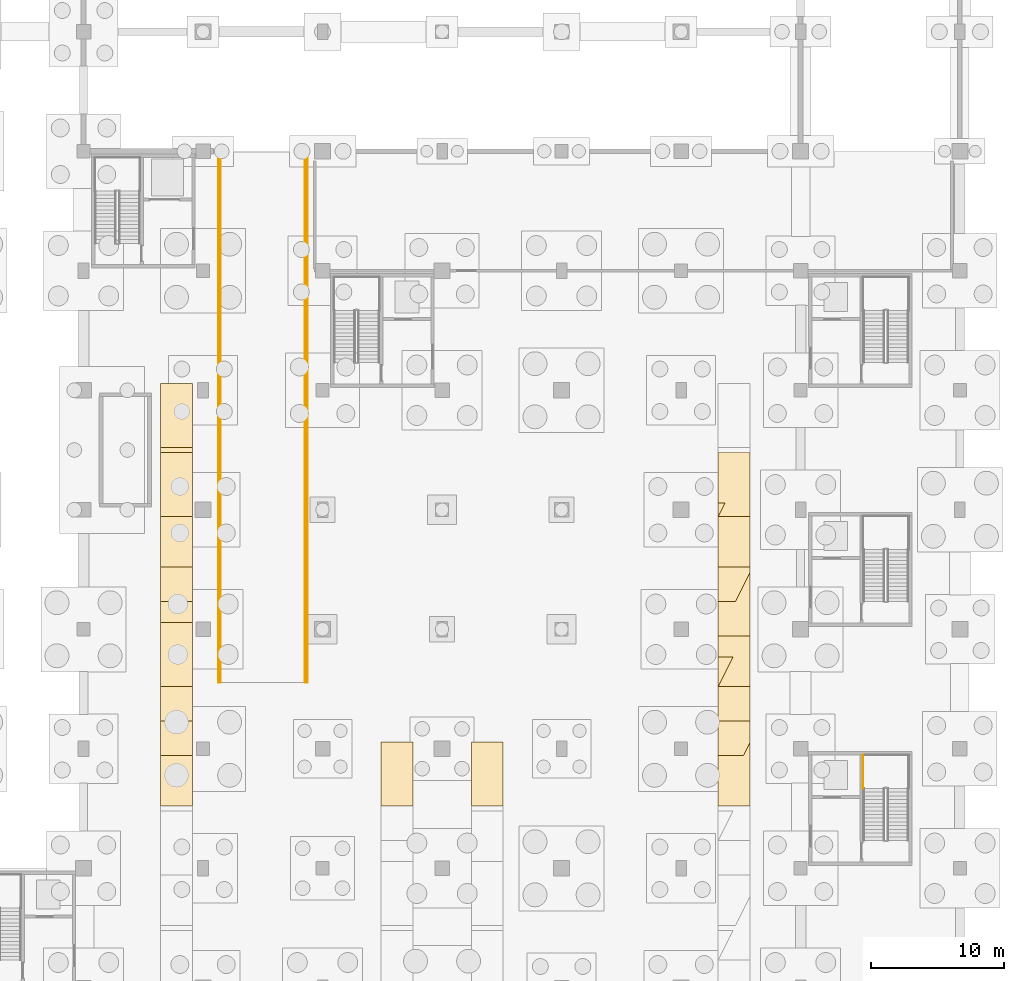
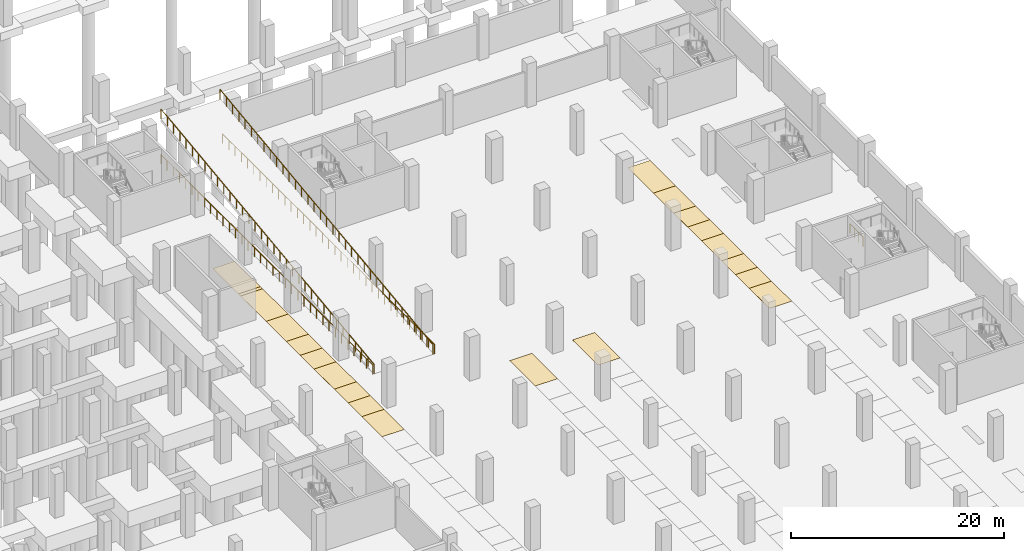
# One storey, part 31 of 37: 20 coverings, 5 railings.
"""IFC4 building model written with IfcOpenShell, lengths in metres."""

from ifc_helpers import new_model, si_unit, direction, frame, origin, origin_2d, place, context, subcontext, project, spatial, polyline, circle, outline, extrude, material, layer, layer_set, type_object, element, save


model = new_model("IFC4")

# Units and contexts
model_context = context("Model", 3, precision=1e-05, world=origin(), true_north=direction((0.0, 1.0)))
body_context = subcontext(model_context, "Body", "Model", "MODEL_VIEW")
ifc_project = project(units=[si_unit("LENGTHUNIT", "METRE"), si_unit("AREAUNIT", "SQUARE_METRE"), si_unit("VOLUMEUNIT", "CUBIC_METRE"), si_unit("PLANEANGLEUNIT", "RADIAN"), si_unit("MASSUNIT", "GRAM", prefix="KILO")], contexts=[model_context])

# Site, building, storey
site_placement = place(None, origin())
site = spatial("IfcSite", under=ifc_project, at=site_placement, CompositionType="ELEMENT")
building_placement = place(site_placement, origin())
building = spatial("IfcBuilding", under=site, at=building_placement, Name="Barlavento Convention Centre", CompositionType="ELEMENT")
storey_placement = place(building_placement, frame((0.0, 0.0, -5.0)))
storey = spatial("IfcBuildingStorey", under=building, at=storey_placement, Name="B1", CompositionType="ELEMENT", Elevation=-5.0)

# Coverings
ifc_material_1 = material(Name="Thermoplastic reflective bay marking")
ifc_layer = layer(ifc_material_1, 0.0048828125)
ifc_layer_set = layer_set([ifc_layer], Name="ARC-COV-PARK-BAY")
covering_type = type_object("IfcCoveringType", Name="ARC-COV-PARK-BAY", PredefinedType="FLOORING", material=ifc_layer_set)
covering_1_placement = place(storey_placement, origin())
element("IfcCovering", 1, at=covering_1_placement, inside=storey, type_object=covering_type, Name="Standard parking bay marking PK-035", PredefinedType="FLOORING", context=body_context, shape_type="SweptSolid", body=[
    extrude(outline(polyline([(131.800048828125, 58.699951171875), (134.199951171875, 58.699951171875), (134.199951171875, 63.5), (131.800048828125, 63.5), (131.800048828125, 58.699951171875)])), origin(), (0.0, 0.0, 1.0), 0.0048828125),
])
covering_2_placement = place(storey_placement, origin())
element("IfcCovering", 2, at=covering_2_placement, inside=storey, type_object=covering_type, Name="Standard parking bay marking PK-036", PredefinedType="FLOORING", context=body_context, shape_type="SweptSolid", body=[
    extrude(outline(polyline([(173.800048828125, 58.699951171875), (176.199951171875, 58.699951171875), (176.199951171875, 63.5), (173.800048828125, 63.5), (173.800048828125, 58.699951171875)])), origin(), (0.0, 0.0, 1.0), 0.0048828125),
])
covering_3_placement = place(storey_placement, origin())
element("IfcCovering", 3, at=covering_3_placement, inside=storey, type_object=covering_type, Name="Standard parking bay marking PK-037", PredefinedType="FLOORING", context=body_context, shape_type="SweptSolid", body=[
    extrude(outline(polyline([(131.800048828125, 62.5), (134.199951171875, 62.5), (134.199951171875, 67.300048828125), (131.800048828125, 67.300048828125), (131.800048828125, 62.5)])), origin(), (0.0, 0.0, 1.0), 0.0048828125),
])
covering_4_placement = place(storey_placement, origin())
element("IfcCovering", 4, at=covering_4_placement, inside=storey, type_object=covering_type, Name="Standard parking bay marking PK-038", PredefinedType="FLOORING", context=body_context, shape_type="SweptSolid", body=[
    extrude(outline(polyline([(173.800048828125, 62.5), (176.199951171875, 62.5), (176.199951171875, 67.300048828125), (173.800048828125, 67.300048828125), (173.800048828125, 62.5)])), origin(), (0.0, 0.0, 1.0), 0.0048828125),
])
covering_5_placement = place(storey_placement, origin())
element("IfcCovering", 5, at=covering_5_placement, inside=storey, type_object=covering_type, Name="Standard parking bay marking PK-039", PredefinedType="FLOORING", context=body_context, shape_type="SweptSolid", body=[
    extrude(outline(polyline([(131.800048828125, 65.10009765625), (134.199951171875, 65.10009765625), (134.199951171875, 69.89990234375), (131.800048828125, 69.89990234375), (131.800048828125, 65.10009765625)])), origin(), (0.0, 0.0, 1.0), 0.0048828125),
])
covering_6_placement = place(storey_placement, origin())
element("IfcCovering", 6, at=covering_6_placement, inside=storey, type_object=covering_type, Name="Standard parking bay marking PK-040", PredefinedType="FLOORING", context=body_context, shape_type="SweptSolid", body=[
    extrude(outline(polyline([(173.800048828125, 65.10009765625), (176.199951171875, 65.10009765625), (176.199951171875, 69.89990234375), (173.800048828125, 69.89990234375), (173.800048828125, 65.10009765625)])), origin(), (0.0, 0.0, 1.0), 0.0048828125),
])
covering_7_placement = place(storey_placement, origin())
element("IfcCovering", 7, at=covering_7_placement, inside=storey, type_object=covering_type, Name="Standard parking bay marking PK-041", PredefinedType="FLOORING", context=body_context, shape_type="SweptSolid", body=[
    extrude(outline(polyline([(131.800048828125, 67.699951171875), (134.199951171875, 67.699951171875), (134.199951171875, 72.5), (131.800048828125, 72.5), (131.800048828125, 67.699951171875)])), origin(), (0.0, 0.0, 1.0), 0.0048828125),
])
covering_8_placement = place(storey_placement, origin())
element("IfcCovering", 8, at=covering_8_placement, inside=storey, type_object=covering_type, Name="Standard parking bay marking PK-042", PredefinedType="FLOORING", context=body_context, shape_type="SweptSolid", body=[
    extrude(outline(polyline([(173.800048828125, 67.699951171875), (176.199951171875, 67.699951171875), (176.199951171875, 72.5), (173.800048828125, 72.5), (173.800048828125, 67.699951171875)])), origin(), (0.0, 0.0, 1.0), 0.0048828125),
])
covering_9_placement = place(storey_placement, origin())
element("IfcCovering", 9, at=covering_9_placement, inside=storey, type_object=covering_type, Name="Standard parking bay marking PK-043", PredefinedType="FLOORING", context=body_context, shape_type="SweptSolid", body=[
    extrude(outline(polyline([(131.800048828125, 71.5), (134.199951171875, 71.5), (134.199951171875, 76.300048828125), (131.800048828125, 76.300048828125), (131.800048828125, 71.5)])), origin(), (0.0, 0.0, 1.0), 0.0048828125),
])
covering_10_placement = place(storey_placement, origin())
element("IfcCovering", 10, at=covering_10_placement, inside=storey, type_object=covering_type, Name="Standard parking bay marking PK-044", PredefinedType="FLOORING", context=body_context, shape_type="SweptSolid", body=[
    extrude(outline(polyline([(173.800048828125, 71.5), (176.199951171875, 71.5), (176.199951171875, 76.300048828125), (173.800048828125, 76.300048828125), (173.800048828125, 71.5)])), origin(), (0.0, 0.0, 1.0), 0.0048828125),
])
covering_11_placement = place(storey_placement, origin())
element("IfcCovering", 11, at=covering_11_placement, inside=storey, type_object=covering_type, Name="Standard parking bay marking PK-045", PredefinedType="FLOORING", context=body_context, shape_type="SweptSolid", body=[
    extrude(outline(polyline([(131.800048828125, 74.10009765625), (134.199951171875, 74.10009765625), (134.199951171875, 78.89990234375), (131.800048828125, 78.89990234375), (131.800048828125, 74.10009765625)])), origin(), (0.0, 0.0, 1.0), 0.0048828125),
])
covering_12_placement = place(storey_placement, origin())
element("IfcCovering", 12, at=covering_12_placement, inside=storey, type_object=covering_type, Name="Standard parking bay marking PK-046", PredefinedType="FLOORING", context=body_context, shape_type="SweptSolid", body=[
    extrude(outline(polyline([(173.800048828125, 74.10009765625), (176.199951171875, 74.10009765625), (176.199951171875, 78.89990234375), (173.800048828125, 78.89990234375), (173.800048828125, 74.10009765625)])), origin(), (0.0, 0.0, 1.0), 0.0048828125),
])
covering_13_placement = place(storey_placement, origin())
element("IfcCovering", 13, at=covering_13_placement, inside=storey, type_object=covering_type, Name="Standard parking bay marking PK-047", PredefinedType="FLOORING", context=body_context, shape_type="SweptSolid", body=[
    extrude(outline(polyline([(131.800048828125, 76.699951171875), (134.199951171875, 76.699951171875), (134.199951171875, 81.5), (131.800048828125, 81.5), (131.800048828125, 76.699951171875)])), origin(), (0.0, 0.0, 1.0), 0.0048828125),
])
covering_14_placement = place(storey_placement, origin())
element("IfcCovering", 14, at=covering_14_placement, inside=storey, type_object=covering_type, Name="Standard parking bay marking PK-048", PredefinedType="FLOORING", context=body_context, shape_type="SweptSolid", body=[
    extrude(outline(polyline([(173.800048828125, 76.699951171875), (176.199951171875, 76.699951171875), (176.199951171875, 81.5), (173.800048828125, 81.5), (173.800048828125, 76.699951171875)])), origin(), (0.0, 0.0, 1.0), 0.0048828125),
])
covering_15_placement = place(storey_placement, origin())
element("IfcCovering", 15, at=covering_15_placement, inside=storey, type_object=covering_type, Name="Standard parking bay marking PK-049", PredefinedType="FLOORING", context=body_context, shape_type="SweptSolid", body=[
    extrude(outline(polyline([(131.800048828125, 80.5), (134.199951171875, 80.5), (134.199951171875, 85.300048828125), (131.800048828125, 85.300048828125), (131.800048828125, 80.5)])), origin(), (0.0, 0.0, 1.0), 0.0048828125),
])
covering_16_placement = place(storey_placement, origin())
element("IfcCovering", 16, at=covering_16_placement, inside=storey, type_object=covering_type, Name="Standard parking bay marking PK-050", PredefinedType="FLOORING", context=body_context, shape_type="SweptSolid", body=[
    extrude(outline(polyline([(173.800048828125, 80.5), (176.199951171875, 80.5), (176.199951171875, 85.300048828125), (173.800048828125, 85.300048828125), (173.800048828125, 80.5)])), origin(), (0.0, 0.0, 1.0), 0.0048828125),
])
covering_17_placement = place(storey_placement, origin())
element("IfcCovering", 17, at=covering_17_placement, inside=storey, type_object=covering_type, Name="Standard parking bay marking PK-051", PredefinedType="FLOORING", context=body_context, shape_type="SweptSolid", body=[
    extrude(outline(polyline([(131.800048828125, 83.10009765625), (134.199951171875, 83.10009765625), (134.199951171875, 87.89990234375), (131.800048828125, 87.89990234375), (131.800048828125, 83.10009765625)])), origin(), (0.0, 0.0, 1.0), 0.0048828125),
])
covering_18_placement = place(storey_placement, origin())
element("IfcCovering", 18, at=covering_18_placement, inside=storey, type_object=covering_type, Name="Standard parking bay marking PK-053", PredefinedType="FLOORING", context=body_context, shape_type="SweptSolid", body=[
    extrude(outline(polyline([(131.800048828125, 85.699951171875), (134.199951171875, 85.699951171875), (134.199951171875, 90.5), (131.800048828125, 90.5), (131.800048828125, 85.699951171875)])), origin(), (0.0, 0.0, 1.0), 0.0048828125),
])
covering_19_placement = place(storey_placement, origin())
element("IfcCovering", 19, at=covering_19_placement, inside=storey, type_object=covering_type, Name="Standard parking bay marking PK-083", PredefinedType="FLOORING", context=body_context, shape_type="SweptSolid", body=[
    extrude(outline(polyline([(148.39990234375, 58.699951171875), (150.800048828125, 58.699951171875), (150.800048828125, 63.5), (148.39990234375, 63.5), (148.39990234375, 58.699951171875)])), origin(), (0.0, 0.0, 1.0), 0.0048828125),
])
covering_20_placement = place(storey_placement, origin())
element("IfcCovering", 20, at=covering_20_placement, inside=storey, type_object=covering_type, Name="Standard parking bay marking PK-084", PredefinedType="FLOORING", context=body_context, shape_type="SweptSolid", body=[
    extrude(outline(polyline([(155.199951171875, 58.699951171875), (157.60009765625, 58.699951171875), (157.60009765625, 63.5), (155.199951171875, 63.5), (155.199951171875, 58.699951171875)])), origin(), (0.0, 0.0, 1.0), 0.0048828125),
])

# Railings
ifc_material_2 = material(Name="Stainless steel and laminated glass balustrade", Category="steel")
railing_type_1 = type_object("IfcRailingType", Name="ARC-RAL-BAL-1100", PredefinedType="BALUSTRADE", material=ifc_material_2)
railing_1_placement = place(storey_placement, frame((184.7099609375, 60.010009765625, 2.5)))
element("IfcRailing", 21, at=railing_1_placement, inside=storey, type_object=railing_type_1, Name="B1 landing guard GR01", PredefinedType="BALUSTRADE", context=body_context, shape_type="SweptSolid", body=[
    extrude(circle(Radius=0.02392578125, at=origin_2d()), frame((0.0, 0.0, 1.076171875), z_axis=(0.0, 1.0, 0.0), x_axis=(-1.0, 0.0, 0.0)), (0.0, 0.0, 1.0), 2.52001953125),
    extrude(circle(Radius=0.02099609375, at=origin_2d()), origin(), (0.0, 0.0, 1.0), 1.052001953125),
    extrude(circle(Radius=0.02099609375, at=origin_2d()), frame((0.0, 0.840087890625, 0.0)), (0.0, 0.0, 1.0), 1.052001953125),
    extrude(circle(Radius=0.02099609375, at=origin_2d()), frame((0.0, 1.679931640625, 0.0)), (0.0, 0.0, 1.0), 1.052001953125),
    extrude(circle(Radius=0.02099609375, at=origin_2d()), frame((0.0, 2.52001953125, 0.0)), (0.0, 0.0, 1.0), 1.052001953125),
])
railing_2_placement = place(storey_placement, frame((136.14990234375, 68.0, 0.0)))
element("IfcRailing", 22, at=railing_2_placement, inside=storey, type_object=railing_type_1, Name="B1 interior atrium or gallery balustrade GR01", PredefinedType="BALUSTRADE", context=body_context, shape_type="SweptSolid", body=[
    extrude(circle(Radius=0.02392578125, at=origin_2d()), frame((0.0, 0.0, 1.076171875), z_axis=(0.0, 1.0, 0.0), x_axis=(-1.0, 0.0, 0.0)), (0.0, 0.0, 1.0), 39.800048828125),
    extrude(circle(Radius=0.02099609375, at=origin_2d()), origin(), (0.0, 0.0, 1.0), 1.052001953125),
    extrude(circle(Radius=0.02099609375, at=origin_2d()), frame((0.0, 1.170654296875, 0.0)), (0.0, 0.0, 1.0), 1.052001953125),
    extrude(circle(Radius=0.02099609375, at=origin_2d()), frame((0.0, 2.341064453125, 0.0)), (0.0, 0.0, 1.0), 1.052001953125),
    extrude(circle(Radius=0.02099609375, at=origin_2d()), frame((0.0, 3.51171875, 0.0)), (0.0, 0.0, 1.0), 1.052001953125),
    extrude(circle(Radius=0.02099609375, at=origin_2d()), frame((0.0, 4.682373046875, 0.0)), (0.0, 0.0, 1.0), 1.052001953125),
    extrude(circle(Radius=0.02099609375, at=origin_2d()), frame((0.0, 5.85302734375, 0.0)), (0.0, 0.0, 1.0), 1.052001953125),
    extrude(circle(Radius=0.02099609375, at=origin_2d()), frame((0.0, 7.0234375, 0.0)), (0.0, 0.0, 1.0), 1.052001953125),
    extrude(circle(Radius=0.02099609375, at=origin_2d()), frame((0.0, 8.194091796875, 0.0)), (0.0, 0.0, 1.0), 1.052001953125),
    extrude(circle(Radius=0.02099609375, at=origin_2d()), frame((0.0, 9.36474609375, 0.0)), (0.0, 0.0, 1.0), 1.052001953125),
    extrude(circle(Radius=0.02099609375, at=origin_2d()), frame((0.0, 10.535400390625, 0.0)), (0.0, 0.0, 1.0), 1.052001953125),
    extrude(circle(Radius=0.02099609375, at=origin_2d()), frame((0.0, 11.705810546875, 0.0)), (0.0, 0.0, 1.0), 1.052001953125),
    extrude(circle(Radius=0.02099609375, at=origin_2d()), frame((0.0, 12.87646484375, 0.0)), (0.0, 0.0, 1.0), 1.052001953125),
    extrude(circle(Radius=0.02099609375, at=origin_2d()), frame((0.0, 14.047119140625, 0.0)), (0.0, 0.0, 1.0), 1.052001953125),
    extrude(circle(Radius=0.02099609375, at=origin_2d()), frame((0.0, 15.2177734375, 0.0)), (0.0, 0.0, 1.0), 1.052001953125),
    extrude(circle(Radius=0.02099609375, at=origin_2d()), frame((0.0, 16.38818359375, 0.0)), (0.0, 0.0, 1.0), 1.052001953125),
    extrude(circle(Radius=0.02099609375, at=origin_2d()), frame((0.0, 17.558837890625, 0.0)), (0.0, 0.0, 1.0), 1.052001953125),
    extrude(circle(Radius=0.02099609375, at=origin_2d()), frame((0.0, 18.7294921875, 0.0)), (0.0, 0.0, 1.0), 1.052001953125),
    extrude(circle(Radius=0.02099609375, at=origin_2d()), frame((0.0, 19.89990234375, 0.0)), (0.0, 0.0, 1.0), 1.052001953125),
    extrude(circle(Radius=0.02099609375, at=origin_2d()), frame((0.0, 21.070556640625, 0.0)), (0.0, 0.0, 1.0), 1.052001953125),
    extrude(circle(Radius=0.02099609375, at=origin_2d()), frame((0.0, 22.2412109375, 0.0)), (0.0, 0.0, 1.0), 1.052001953125),
    extrude(circle(Radius=0.02099609375, at=origin_2d()), frame((0.0, 23.411865234375, 0.0)), (0.0, 0.0, 1.0), 1.052001953125),
    extrude(circle(Radius=0.02099609375, at=origin_2d()), frame((0.0, 24.582275390625, 0.0)), (0.0, 0.0, 1.0), 1.052001953125),
    extrude(circle(Radius=0.02099609375, at=origin_2d()), frame((0.0, 25.7529296875, 0.0)), (0.0, 0.0, 1.0), 1.052001953125),
    extrude(circle(Radius=0.02099609375, at=origin_2d()), frame((0.0, 26.923583984375, 0.0)), (0.0, 0.0, 1.0), 1.052001953125),
    extrude(circle(Radius=0.02099609375, at=origin_2d()), frame((0.0, 28.09423828125, 0.0)), (0.0, 0.0, 1.0), 1.052001953125),
    extrude(circle(Radius=0.02099609375, at=origin_2d()), frame((0.0, 29.2646484375, 0.0)), (0.0, 0.0, 1.0), 1.052001953125),
    extrude(circle(Radius=0.02099609375, at=origin_2d()), frame((0.0, 30.435302734375, 0.0)), (0.0, 0.0, 1.0), 1.052001953125),
    extrude(circle(Radius=0.02099609375, at=origin_2d()), frame((0.0, 31.60595703125, 0.0)), (0.0, 0.0, 1.0), 1.052001953125),
    extrude(circle(Radius=0.02099609375, at=origin_2d()), frame((0.0, 32.776611328125, 0.0)), (0.0, 0.0, 1.0), 1.052001953125),
    extrude(circle(Radius=0.02099609375, at=origin_2d()), frame((0.0, 33.947021484375, 0.0)), (0.0, 0.0, 1.0), 1.052001953125),
    extrude(circle(Radius=0.02099609375, at=origin_2d()), frame((0.0, 35.11767578125, 0.0)), (0.0, 0.0, 1.0), 1.052001953125),
    extrude(circle(Radius=0.02099609375, at=origin_2d()), frame((0.0, 36.288330078125, 0.0)), (0.0, 0.0, 1.0), 1.052001953125),
    extrude(circle(Radius=0.02099609375, at=origin_2d()), frame((0.0, 37.458984375, 0.0)), (0.0, 0.0, 1.0), 1.052001953125),
    extrude(circle(Radius=0.02099609375, at=origin_2d()), frame((0.0, 38.62939453125, 0.0)), (0.0, 0.0, 1.0), 1.052001953125),
    extrude(circle(Radius=0.02099609375, at=origin_2d()), frame((0.0, 39.800048828125, 0.0)), (0.0, 0.0, 1.0), 1.052001953125),
])
railing_3_placement = place(storey_placement, frame((142.85009765625, 68.0, 0.0)))
element("IfcRailing", 23, at=railing_3_placement, inside=storey, type_object=railing_type_1, Name="B1 interior atrium or gallery balustrade GR01", PredefinedType="BALUSTRADE", context=body_context, shape_type="SweptSolid", body=[
    extrude(circle(Radius=0.02392578125, at=origin_2d()), frame((0.0, 0.0, 1.076171875), z_axis=(0.0, 1.0, 0.0), x_axis=(-1.0, 0.0, 0.0)), (0.0, 0.0, 1.0), 39.800048828125),
    extrude(circle(Radius=0.02099609375, at=origin_2d()), origin(), (0.0, 0.0, 1.0), 1.052001953125),
    extrude(circle(Radius=0.02099609375, at=origin_2d()), frame((0.0, 1.170654296875, 0.0)), (0.0, 0.0, 1.0), 1.052001953125),
    extrude(circle(Radius=0.02099609375, at=origin_2d()), frame((0.0, 2.341064453125, 0.0)), (0.0, 0.0, 1.0), 1.052001953125),
    extrude(circle(Radius=0.02099609375, at=origin_2d()), frame((0.0, 3.51171875, 0.0)), (0.0, 0.0, 1.0), 1.052001953125),
    extrude(circle(Radius=0.02099609375, at=origin_2d()), frame((0.0, 4.682373046875, 0.0)), (0.0, 0.0, 1.0), 1.052001953125),
    extrude(circle(Radius=0.02099609375, at=origin_2d()), frame((0.0, 5.85302734375, 0.0)), (0.0, 0.0, 1.0), 1.052001953125),
    extrude(circle(Radius=0.02099609375, at=origin_2d()), frame((0.0, 7.0234375, 0.0)), (0.0, 0.0, 1.0), 1.052001953125),
    extrude(circle(Radius=0.02099609375, at=origin_2d()), frame((0.0, 8.194091796875, 0.0)), (0.0, 0.0, 1.0), 1.052001953125),
    extrude(circle(Radius=0.02099609375, at=origin_2d()), frame((0.0, 9.36474609375, 0.0)), (0.0, 0.0, 1.0), 1.052001953125),
    extrude(circle(Radius=0.02099609375, at=origin_2d()), frame((0.0, 10.535400390625, 0.0)), (0.0, 0.0, 1.0), 1.052001953125),
    extrude(circle(Radius=0.02099609375, at=origin_2d()), frame((0.0, 11.705810546875, 0.0)), (0.0, 0.0, 1.0), 1.052001953125),
    extrude(circle(Radius=0.02099609375, at=origin_2d()), frame((0.0, 12.87646484375, 0.0)), (0.0, 0.0, 1.0), 1.052001953125),
    extrude(circle(Radius=0.02099609375, at=origin_2d()), frame((0.0, 14.047119140625, 0.0)), (0.0, 0.0, 1.0), 1.052001953125),
    extrude(circle(Radius=0.02099609375, at=origin_2d()), frame((0.0, 15.2177734375, 0.0)), (0.0, 0.0, 1.0), 1.052001953125),
    extrude(circle(Radius=0.02099609375, at=origin_2d()), frame((0.0, 16.38818359375, 0.0)), (0.0, 0.0, 1.0), 1.052001953125),
    extrude(circle(Radius=0.02099609375, at=origin_2d()), frame((0.0, 17.558837890625, 0.0)), (0.0, 0.0, 1.0), 1.052001953125),
    extrude(circle(Radius=0.02099609375, at=origin_2d()), frame((0.0, 18.7294921875, 0.0)), (0.0, 0.0, 1.0), 1.052001953125),
    extrude(circle(Radius=0.02099609375, at=origin_2d()), frame((0.0, 19.89990234375, 0.0)), (0.0, 0.0, 1.0), 1.052001953125),
    extrude(circle(Radius=0.02099609375, at=origin_2d()), frame((0.0, 21.070556640625, 0.0)), (0.0, 0.0, 1.0), 1.052001953125),
    extrude(circle(Radius=0.02099609375, at=origin_2d()), frame((0.0, 22.2412109375, 0.0)), (0.0, 0.0, 1.0), 1.052001953125),
    extrude(circle(Radius=0.02099609375, at=origin_2d()), frame((0.0, 23.411865234375, 0.0)), (0.0, 0.0, 1.0), 1.052001953125),
    extrude(circle(Radius=0.02099609375, at=origin_2d()), frame((0.0, 24.582275390625, 0.0)), (0.0, 0.0, 1.0), 1.052001953125),
    extrude(circle(Radius=0.02099609375, at=origin_2d()), frame((0.0, 25.7529296875, 0.0)), (0.0, 0.0, 1.0), 1.052001953125),
    extrude(circle(Radius=0.02099609375, at=origin_2d()), frame((0.0, 26.923583984375, 0.0)), (0.0, 0.0, 1.0), 1.052001953125),
    extrude(circle(Radius=0.02099609375, at=origin_2d()), frame((0.0, 28.09423828125, 0.0)), (0.0, 0.0, 1.0), 1.052001953125),
    extrude(circle(Radius=0.02099609375, at=origin_2d()), frame((0.0, 29.2646484375, 0.0)), (0.0, 0.0, 1.0), 1.052001953125),
    extrude(circle(Radius=0.02099609375, at=origin_2d()), frame((0.0, 30.435302734375, 0.0)), (0.0, 0.0, 1.0), 1.052001953125),
    extrude(circle(Radius=0.02099609375, at=origin_2d()), frame((0.0, 31.60595703125, 0.0)), (0.0, 0.0, 1.0), 1.052001953125),
    extrude(circle(Radius=0.02099609375, at=origin_2d()), frame((0.0, 32.776611328125, 0.0)), (0.0, 0.0, 1.0), 1.052001953125),
    extrude(circle(Radius=0.02099609375, at=origin_2d()), frame((0.0, 33.947021484375, 0.0)), (0.0, 0.0, 1.0), 1.052001953125),
    extrude(circle(Radius=0.02099609375, at=origin_2d()), frame((0.0, 35.11767578125, 0.0)), (0.0, 0.0, 1.0), 1.052001953125),
    extrude(circle(Radius=0.02099609375, at=origin_2d()), frame((0.0, 36.288330078125, 0.0)), (0.0, 0.0, 1.0), 1.052001953125),
    extrude(circle(Radius=0.02099609375, at=origin_2d()), frame((0.0, 37.458984375, 0.0)), (0.0, 0.0, 1.0), 1.052001953125),
    extrude(circle(Radius=0.02099609375, at=origin_2d()), frame((0.0, 38.62939453125, 0.0)), (0.0, 0.0, 1.0), 1.052001953125),
    extrude(circle(Radius=0.02099609375, at=origin_2d()), frame((0.0, 39.800048828125, 0.0)), (0.0, 0.0, 1.0), 1.052001953125),
])
ifc_material_3 = material(Name="Painted galvanized steel perimeter guardrail", Category="steel")
railing_type_2 = type_object("IfcRailingType", Name="ARC-RAL-PAR-1100", PredefinedType="GUARDRAIL", material=ifc_material_3)
railing_4_placement = place(storey_placement, frame((136.300048828125, 68.0, 0.0)))
element("IfcRailing", 24, at=railing_4_placement, inside=storey, type_object=railing_type_2, Name="Vehicle ramp west guardrail GR02", PredefinedType="GUARDRAIL", context=body_context, shape_type="SweptSolid", body=[
    extrude(circle(Radius=0.02392578125, at=origin_2d()), frame((0.0, 0.0, 1.076171875), z_axis=(0.0, 0.992277876714, 0.124034734589), x_axis=(-1.0, 0.0, 0.0)), (0.0, 0.0, 1.0), 40.311279296875),
    extrude(circle(Radius=0.02099609375, at=origin_2d()), origin(), (0.0, 0.0, 1.0), 1.052001953125),
    extrude(circle(Radius=0.02099609375, at=origin_2d()), frame((0.0, 1.176513671875, 0.14697265625)), (0.0, 0.0, 1.0), 1.052001953125),
    extrude(circle(Radius=0.02099609375, at=origin_2d()), frame((0.0, 2.35302734375, 0.294189453125)), (0.0, 0.0, 1.0), 1.052001953125),
    extrude(circle(Radius=0.02099609375, at=origin_2d()), frame((0.0, 3.529296875, 0.441162109375)), (0.0, 0.0, 1.0), 1.052001953125),
    extrude(circle(Radius=0.02099609375, at=origin_2d()), frame((0.0, 4.705810546875, 0.588134765625)), (0.0, 0.0, 1.0), 1.052001953125),
    extrude(circle(Radius=0.02099609375, at=origin_2d()), frame((0.0, 5.88232421875, 0.7353515625)), (0.0, 0.0, 1.0), 1.052001953125),
    extrude(circle(Radius=0.02099609375, at=origin_2d()), frame((0.0, 7.058837890625, 0.88232421875)), (0.0, 0.0, 1.0), 1.052001953125),
    extrude(circle(Radius=0.02099609375, at=origin_2d()), frame((0.0, 8.2353515625, 1.029296875)), (0.0, 0.0, 1.0), 1.052001953125),
    extrude(circle(Radius=0.02099609375, at=origin_2d()), frame((0.0, 9.411865234375, 1.176513671875)), (0.0, 0.0, 1.0), 1.052001953125),
    extrude(circle(Radius=0.02099609375, at=origin_2d()), frame((0.0, 10.588134765625, 1.323486328125)), (0.0, 0.0, 1.0), 1.052001953125),
    extrude(circle(Radius=0.02099609375, at=origin_2d()), frame((0.0, 11.7646484375, 1.470703125)), (0.0, 0.0, 1.0), 1.052001953125),
    extrude(circle(Radius=0.02099609375, at=origin_2d()), frame((0.0, 12.941162109375, 1.61767578125)), (0.0, 0.0, 1.0), 1.052001953125),
    extrude(circle(Radius=0.02099609375, at=origin_2d()), frame((0.0, 14.11767578125, 1.7646484375)), (0.0, 0.0, 1.0), 1.052001953125),
    extrude(circle(Radius=0.02099609375, at=origin_2d()), frame((0.0, 15.294189453125, 1.911865234375)), (0.0, 0.0, 1.0), 1.052001953125),
    extrude(circle(Radius=0.02099609375, at=origin_2d()), frame((0.0, 16.470703125, 2.058837890625)), (0.0, 0.0, 1.0), 1.052001953125),
    extrude(circle(Radius=0.02099609375, at=origin_2d()), frame((0.0, 17.64697265625, 2.205810546875)), (0.0, 0.0, 1.0), 1.052001953125),
    extrude(circle(Radius=0.02099609375, at=origin_2d()), frame((0.0, 18.823486328125, 2.35302734375)), (0.0, 0.0, 1.0), 1.052001953125),
    extrude(circle(Radius=0.02099609375, at=origin_2d()), frame((0.0, 20.0, 2.5)), (0.0, 0.0, 1.0), 1.052001953125),
    extrude(circle(Radius=0.02099609375, at=origin_2d()), frame((0.0, 21.176513671875, 2.64697265625)), (0.0, 0.0, 1.0), 1.052001953125),
    extrude(circle(Radius=0.02099609375, at=origin_2d()), frame((0.0, 22.35302734375, 2.794189453125)), (0.0, 0.0, 1.0), 1.052001953125),
    extrude(circle(Radius=0.02099609375, at=origin_2d()), frame((0.0, 23.529296875, 2.941162109375)), (0.0, 0.0, 1.0), 1.052001953125),
    extrude(circle(Radius=0.02099609375, at=origin_2d()), frame((0.0, 24.705810546875, 3.088134765625)), (0.0, 0.0, 1.0), 1.052001953125),
    extrude(circle(Radius=0.02099609375, at=origin_2d()), frame((0.0, 25.88232421875, 3.2353515625)), (0.0, 0.0, 1.0), 1.052001953125),
    extrude(circle(Radius=0.02099609375, at=origin_2d()), frame((0.0, 27.058837890625, 3.38232421875)), (0.0, 0.0, 1.0), 1.052001953125),
    extrude(circle(Radius=0.02099609375, at=origin_2d()), frame((0.0, 28.2353515625, 3.529296875)), (0.0, 0.0, 1.0), 1.052001953125),
    extrude(circle(Radius=0.02099609375, at=origin_2d()), frame((0.0, 29.411865234375, 3.676513671875)), (0.0, 0.0, 1.0), 1.052001953125),
    extrude(circle(Radius=0.02099609375, at=origin_2d()), frame((0.0, 30.588134765625, 3.823486328125)), (0.0, 0.0, 1.0), 1.052001953125),
    extrude(circle(Radius=0.02099609375, at=origin_2d()), frame((0.0, 31.7646484375, 3.970703125)), (0.0, 0.0, 1.0), 1.052001953125),
    extrude(circle(Radius=0.02099609375, at=origin_2d()), frame((0.0, 32.941162109375, 4.11767578125)), (0.0, 0.0, 1.0), 1.052001953125),
    extrude(circle(Radius=0.02099609375, at=origin_2d()), frame((0.0, 34.11767578125, 4.2646484375)), (0.0, 0.0, 1.0), 1.052001953125),
    extrude(circle(Radius=0.02099609375, at=origin_2d()), frame((0.0, 35.294189453125, 4.411865234375)), (0.0, 0.0, 1.0), 1.052001953125),
    extrude(circle(Radius=0.02099609375, at=origin_2d()), frame((0.0, 36.470703125, 4.558837890625)), (0.0, 0.0, 1.0), 1.052001953125),
    extrude(circle(Radius=0.02099609375, at=origin_2d()), frame((0.0, 37.64697265625, 4.705810546875)), (0.0, 0.0, 1.0), 1.052001953125),
    extrude(circle(Radius=0.02099609375, at=origin_2d()), frame((0.0, 38.823486328125, 4.85302734375)), (0.0, 0.0, 1.0), 1.052001953125),
    extrude(circle(Radius=0.02099609375, at=origin_2d()), frame((0.0, 40.0, 5.0)), (0.0, 0.0, 1.0), 1.052001953125),
])
railing_5_placement = place(storey_placement, frame((142.699951171875, 68.0, 0.0)))
element("IfcRailing", 25, at=railing_5_placement, inside=storey, type_object=railing_type_2, Name="Vehicle ramp east guardrail GR02", PredefinedType="GUARDRAIL", context=body_context, shape_type="SweptSolid", body=[
    extrude(circle(Radius=0.02392578125, at=origin_2d()), frame((0.0, 0.0, 1.076171875), z_axis=(0.0, 0.992277876714, 0.124034734589), x_axis=(-1.0, 0.0, 0.0)), (0.0, 0.0, 1.0), 40.311279296875),
    extrude(circle(Radius=0.02099609375, at=origin_2d()), origin(), (0.0, 0.0, 1.0), 1.052001953125),
    extrude(circle(Radius=0.02099609375, at=origin_2d()), frame((0.0, 1.176513671875, 0.14697265625)), (0.0, 0.0, 1.0), 1.052001953125),
    extrude(circle(Radius=0.02099609375, at=origin_2d()), frame((0.0, 2.35302734375, 0.294189453125)), (0.0, 0.0, 1.0), 1.052001953125),
    extrude(circle(Radius=0.02099609375, at=origin_2d()), frame((0.0, 3.529296875, 0.441162109375)), (0.0, 0.0, 1.0), 1.052001953125),
    extrude(circle(Radius=0.02099609375, at=origin_2d()), frame((0.0, 4.705810546875, 0.588134765625)), (0.0, 0.0, 1.0), 1.052001953125),
    extrude(circle(Radius=0.02099609375, at=origin_2d()), frame((0.0, 5.88232421875, 0.7353515625)), (0.0, 0.0, 1.0), 1.052001953125),
    extrude(circle(Radius=0.02099609375, at=origin_2d()), frame((0.0, 7.058837890625, 0.88232421875)), (0.0, 0.0, 1.0), 1.052001953125),
    extrude(circle(Radius=0.02099609375, at=origin_2d()), frame((0.0, 8.2353515625, 1.029296875)), (0.0, 0.0, 1.0), 1.052001953125),
    extrude(circle(Radius=0.02099609375, at=origin_2d()), frame((0.0, 9.411865234375, 1.176513671875)), (0.0, 0.0, 1.0), 1.052001953125),
    extrude(circle(Radius=0.02099609375, at=origin_2d()), frame((0.0, 10.588134765625, 1.323486328125)), (0.0, 0.0, 1.0), 1.052001953125),
    extrude(circle(Radius=0.02099609375, at=origin_2d()), frame((0.0, 11.7646484375, 1.470703125)), (0.0, 0.0, 1.0), 1.052001953125),
    extrude(circle(Radius=0.02099609375, at=origin_2d()), frame((0.0, 12.941162109375, 1.61767578125)), (0.0, 0.0, 1.0), 1.052001953125),
    extrude(circle(Radius=0.02099609375, at=origin_2d()), frame((0.0, 14.11767578125, 1.7646484375)), (0.0, 0.0, 1.0), 1.052001953125),
    extrude(circle(Radius=0.02099609375, at=origin_2d()), frame((0.0, 15.294189453125, 1.911865234375)), (0.0, 0.0, 1.0), 1.052001953125),
    extrude(circle(Radius=0.02099609375, at=origin_2d()), frame((0.0, 16.470703125, 2.058837890625)), (0.0, 0.0, 1.0), 1.052001953125),
    extrude(circle(Radius=0.02099609375, at=origin_2d()), frame((0.0, 17.64697265625, 2.205810546875)), (0.0, 0.0, 1.0), 1.052001953125),
    extrude(circle(Radius=0.02099609375, at=origin_2d()), frame((0.0, 18.823486328125, 2.35302734375)), (0.0, 0.0, 1.0), 1.052001953125),
    extrude(circle(Radius=0.02099609375, at=origin_2d()), frame((0.0, 20.0, 2.5)), (0.0, 0.0, 1.0), 1.052001953125),
    extrude(circle(Radius=0.02099609375, at=origin_2d()), frame((0.0, 21.176513671875, 2.64697265625)), (0.0, 0.0, 1.0), 1.052001953125),
    extrude(circle(Radius=0.02099609375, at=origin_2d()), frame((0.0, 22.35302734375, 2.794189453125)), (0.0, 0.0, 1.0), 1.052001953125),
    extrude(circle(Radius=0.02099609375, at=origin_2d()), frame((0.0, 23.529296875, 2.941162109375)), (0.0, 0.0, 1.0), 1.052001953125),
    extrude(circle(Radius=0.02099609375, at=origin_2d()), frame((0.0, 24.705810546875, 3.088134765625)), (0.0, 0.0, 1.0), 1.052001953125),
    extrude(circle(Radius=0.02099609375, at=origin_2d()), frame((0.0, 25.88232421875, 3.2353515625)), (0.0, 0.0, 1.0), 1.052001953125),
    extrude(circle(Radius=0.02099609375, at=origin_2d()), frame((0.0, 27.058837890625, 3.38232421875)), (0.0, 0.0, 1.0), 1.052001953125),
    extrude(circle(Radius=0.02099609375, at=origin_2d()), frame((0.0, 28.2353515625, 3.529296875)), (0.0, 0.0, 1.0), 1.052001953125),
    extrude(circle(Radius=0.02099609375, at=origin_2d()), frame((0.0, 29.411865234375, 3.676513671875)), (0.0, 0.0, 1.0), 1.052001953125),
    extrude(circle(Radius=0.02099609375, at=origin_2d()), frame((0.0, 30.588134765625, 3.823486328125)), (0.0, 0.0, 1.0), 1.052001953125),
    extrude(circle(Radius=0.02099609375, at=origin_2d()), frame((0.0, 31.7646484375, 3.970703125)), (0.0, 0.0, 1.0), 1.052001953125),
    extrude(circle(Radius=0.02099609375, at=origin_2d()), frame((0.0, 32.941162109375, 4.11767578125)), (0.0, 0.0, 1.0), 1.052001953125),
    extrude(circle(Radius=0.02099609375, at=origin_2d()), frame((0.0, 34.11767578125, 4.2646484375)), (0.0, 0.0, 1.0), 1.052001953125),
    extrude(circle(Radius=0.02099609375, at=origin_2d()), frame((0.0, 35.294189453125, 4.411865234375)), (0.0, 0.0, 1.0), 1.052001953125),
    extrude(circle(Radius=0.02099609375, at=origin_2d()), frame((0.0, 36.470703125, 4.558837890625)), (0.0, 0.0, 1.0), 1.052001953125),
    extrude(circle(Radius=0.02099609375, at=origin_2d()), frame((0.0, 37.64697265625, 4.705810546875)), (0.0, 0.0, 1.0), 1.052001953125),
    extrude(circle(Radius=0.02099609375, at=origin_2d()), frame((0.0, 38.823486328125, 4.85302734375)), (0.0, 0.0, 1.0), 1.052001953125),
    extrude(circle(Radius=0.02099609375, at=origin_2d()), frame((0.0, 40.0, 5.0)), (0.0, 0.0, 1.0), 1.052001953125),
])

save(model, "model.ifc")
